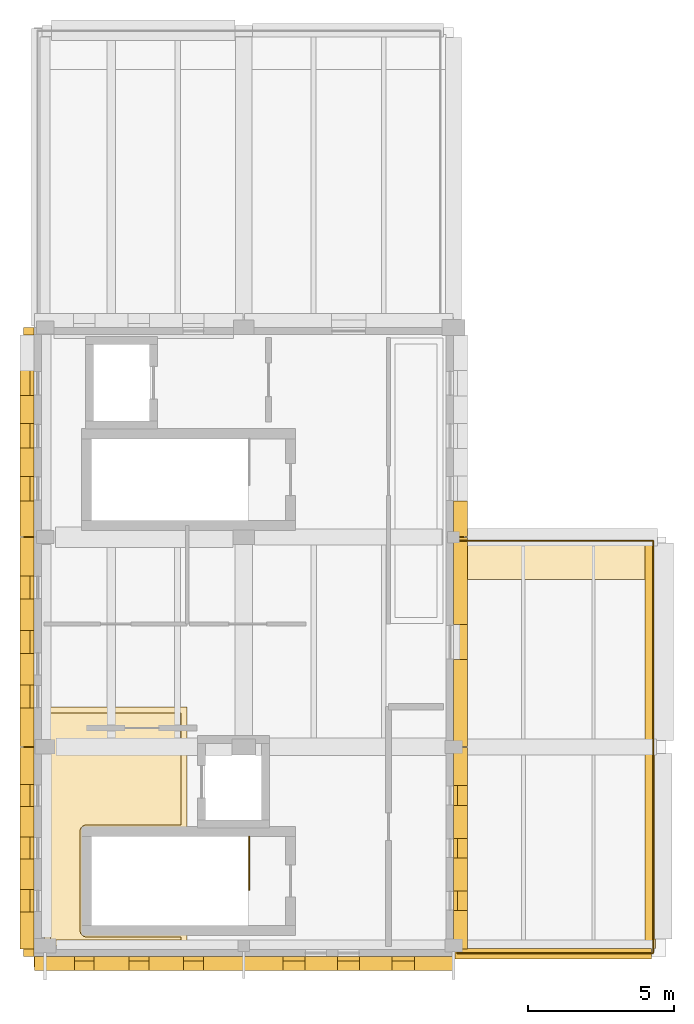
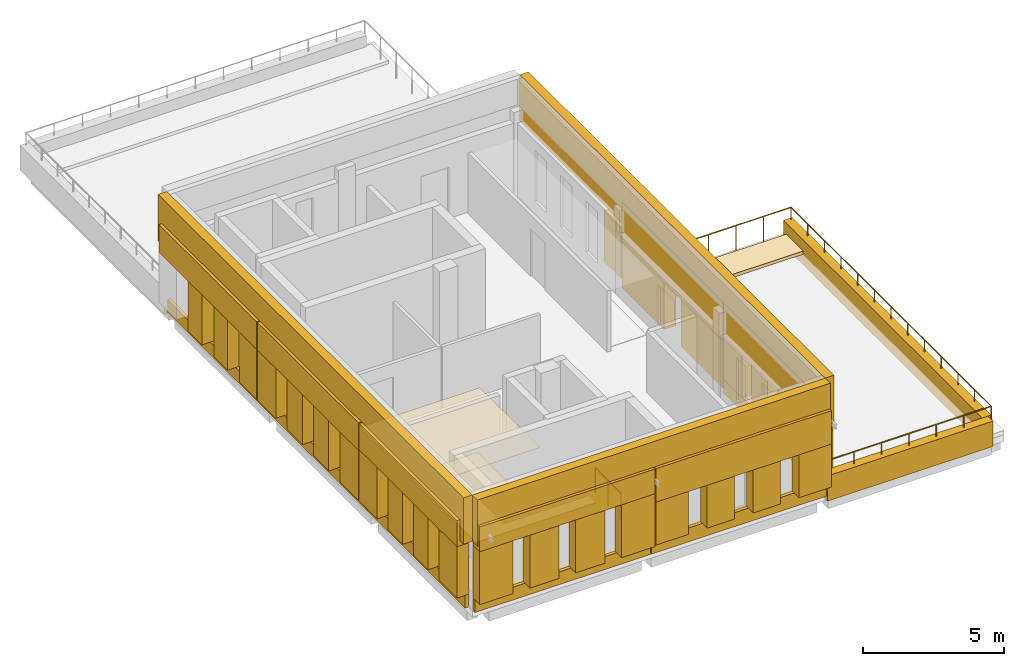
# One storey, part 5 of 6: 47 coverings, 2 railings.
"""IFC4 building model written with IfcOpenShell, lengths in metres."""

from ifc_helpers import new_model, si_unit, direction, frame, origin, origin_2d, place, context, subcontext, project, spatial, polyline, circle, outline, extrude, material, layer, layer_set, type_object, element, save


model = new_model("IFC4")

# Units and contexts
model_context = context("Model", 3, precision=1e-05, world=origin(), true_north=direction((0.0, 1.0)))
body_context = subcontext(model_context, "Body", "Model", "MODEL_VIEW")
ifc_project = project(units=[si_unit("LENGTHUNIT", "METRE"), si_unit("AREAUNIT", "SQUARE_METRE"), si_unit("VOLUMEUNIT", "CUBIC_METRE"), si_unit("PLANEANGLEUNIT", "RADIAN"), si_unit("MASSUNIT", "GRAM", prefix="KILO")], contexts=[model_context])

# Site, building, storey
site_placement = place(None, origin())
site = spatial("IfcSite", under=ifc_project, at=site_placement, CompositionType="ELEMENT")
building_placement = place(site_placement, origin())
building = spatial("IfcBuilding", under=site, at=building_placement, Name="Vardoun Plaza Health Centre", CompositionType="ELEMENT")
storey_placement = place(building_placement, frame((0.0, 0.0, 25.050048828125)))
storey = spatial("IfcBuildingStorey", under=building, at=storey_placement, Name="L06", CompositionType="ELEMENT", Elevation=25.050048828125)

# Coverings
ifc_material_1 = material(Name="Hygienic Acoustic Mineral-Fibre Ceiling", Category="concrete")
ifc_layer_1 = layer(ifc_material_1, 0.02490234375)
ifc_layer_set_1 = layer_set([ifc_layer_1], Name="Hygienic Acoustic Mineral-Fibre Ceiling")
covering_type_1 = type_object("IfcCoveringType", Name="CL-01", PredefinedType="CEILING", material=ifc_layer_set_1)
covering_1_placement = place(storey_placement, frame((0.0, 0.0, 2.579833984375)))
element("IfcCovering", 1, at=covering_1_placement, inside=storey, type_object=covering_type_1, Name="Telemedicine Consultation Suite Acoustic Ceiling", PredefinedType="CEILING", context=body_context, shape_type="SweptSolid", body=[
    extrude(outline(polyline([(4.860107421875, 13.070068359375), (9.75, 13.070068359375), (9.75, 8.81005859375), (6.300048828125, 8.81005859375), (6.299072265625, 8.81005859375), (6.298095703125, 8.809814453125), (6.297119140625, 8.8095703125), (6.296142578125, 8.80908203125), (6.29541015625, 8.808837890625), (6.29443359375, 8.808349609375), (6.293701171875, 8.8076171875), (6.29296875, 8.80712890625), (6.292236328125, 8.806396484375), (6.291748046875, 8.8056640625), (6.291259765625, 8.8046875), (6.290771484375, 8.8037109375), (6.290283203125, 8.802978515625), (6.290283203125, 8.802001953125), (6.2900390625, 8.801025390625), (6.2900390625, 8.800048828125), (6.2900390625, 5.39990234375), (6.2900390625, 5.39892578125), (6.290283203125, 5.39794921875), (6.290283203125, 5.397216796875), (6.290771484375, 5.396240234375), (6.291259765625, 5.395263671875), (6.291748046875, 5.394287109375), (6.292236328125, 5.393798828125), (6.29296875, 5.392822265625), (6.293701171875, 5.392333984375), (6.29443359375, 5.3916015625), (6.29541015625, 5.39111328125), (6.296142578125, 5.390869140625), (6.297119140625, 5.390380859375), (6.298095703125, 5.39013671875), (6.299072265625, 5.389892578125), (6.300048828125, 5.389892578125), (9.75, 5.389892578125), (9.75, 4.860107421875), (4.860107421875, 4.860107421875), (4.860107421875, 13.070068359375)])), origin(), (0.0, 0.0, 1.0), 0.025146484375),
])
ifc_material_2 = material(Name="Pale Limestone Concrete C35/45", Category="masonry")
ifc_layer_2 = layer(ifc_material_2, 0.080078125)
ifc_layer_set_2 = layer_set([ifc_layer_2], Name="Pale Limestone Concrete C35/45")
covering_type_2 = type_object("IfcCoveringType", Name="CL-EXT1", PredefinedType="CLADDING", material=ifc_layer_set_2)
covering_2_placement = place(storey_placement, frame((0.0, 0.0, 0.550048828125)))
element("IfcCovering", 2, at=covering_2_placement, inside=storey, type_object=covering_type_2, Name="V2 L06 Deep-Punched Slot Concrete Reveal Pier 660", PredefinedType="CLADDING", context=body_context, shape_type="SweptSolid", body=[
    extrude(outline(polyline([(18.89990234375, 20.137939453125), (18.89990234375, 18.919921875), (19.3798828125, 18.919921875), (19.3798828125, 20.137939453125), (18.89990234375, 20.137939453125)])), origin(), (0.0, 0.0, 1.0), 2.199951171875),
])
covering_3_placement = place(storey_placement, frame((0.0, 0.0, 2.2099609375)))
element("IfcCovering", 3, at=covering_3_placement, inside=storey, type_object=covering_type_2, Name="V2 L06 Sculpted Concrete Eyebrow Hood 661", PredefinedType="CLADDING", context=body_context, shape_type="SweptSolid", body=[
    extrude(outline(polyline([(18.89990234375, 18.8798828125), (18.89990234375, 11.719970703125), (19.3798828125, 11.719970703125), (19.3798828125, 18.8798828125), (18.89990234375, 18.8798828125)])), origin(), (0.0, 0.0, 1.0), 1.68994140625),
])
covering_4_placement = place(storey_placement, frame((0.0, 0.0, 0.18994140625)))
element("IfcCovering", 4, at=covering_4_placement, inside=storey, type_object=covering_type_2, Name="V2 L06 Deep-Punched Slot Concrete Reveal Pier 662", PredefinedType="CLADDING", context=body_context, shape_type="SweptSolid", body=[
    extrude(outline(polyline([(18.89990234375, 18.8798828125), (18.89990234375, 15.89501953125), (19.3798828125, 15.89501953125), (19.3798828125, 18.8798828125), (18.89990234375, 18.8798828125)])), origin(), (0.0, 0.0, 1.0), 2.02001953125),
])
covering_5_placement = place(storey_placement, frame((0.0, 0.0, 0.18994140625)))
element("IfcCovering", 5, at=covering_5_placement, inside=storey, type_object=covering_type_2, Name="V2 L06 Deep-Punched Slot Concrete Reveal Pier 663", PredefinedType="CLADDING", context=body_context, shape_type="SweptSolid", body=[
    extrude(outline(polyline([(18.89990234375, 14.705078125), (18.89990234375, 11.719970703125), (19.3798828125, 11.719970703125), (19.3798828125, 14.705078125), (18.89990234375, 14.705078125)])), origin(), (0.0, 0.0, 1.0), 2.02001953125),
])
covering_6_placement = place(storey_placement, origin())
element("IfcCovering", 6, at=covering_6_placement, inside=storey, type_object=covering_type_2, Name="V2 L06 Pale Concrete Sill Band 664", PredefinedType="CLADDING", context=body_context, shape_type="SweptSolid", body=[
    extrude(outline(polyline([(18.89990234375, 11.679931640625), (18.89990234375, 4.77001953125), (19.0400390625, 4.77001953125), (19.0400390625, 11.679931640625), (18.89990234375, 11.679931640625)])), origin(), (0.0, 0.0, 1.0), 0.599853515625),
])
covering_7_placement = place(storey_placement, frame((0.0, 0.0, 2.449951171875)))
element("IfcCovering", 7, at=covering_7_placement, inside=storey, type_object=covering_type_2, Name="V2 L06 Sculpted Concrete Eyebrow Hood 665", PredefinedType="CLADDING", context=body_context, shape_type="SweptSolid", body=[
    extrude(outline(polyline([(18.89990234375, 11.679931640625), (18.89990234375, 4.77001953125), (19.3798828125, 4.77001953125), (19.3798828125, 11.679931640625), (18.89990234375, 11.679931640625)])), origin(), (0.0, 0.0, 1.0), 1.449951171875),
])
covering_8_placement = place(storey_placement, frame((0.0, 0.0, 0.599853515625)))
element("IfcCovering", 8, at=covering_8_placement, inside=storey, type_object=covering_type_2, Name="V2 L06 Deep-Punched Slot Concrete Reveal Pier 666", PredefinedType="CLADDING", context=body_context, shape_type="SweptSolid", body=[
    extrude(outline(polyline([(18.89990234375, 11.679931640625), (18.89990234375, 10.3720703125), (19.3798828125, 10.3720703125), (19.3798828125, 11.679931640625), (18.89990234375, 11.679931640625)])), origin(), (0.0, 0.0, 1.0), 1.85009765625),
])
covering_9_placement = place(storey_placement, frame((0.0, 0.0, 0.599853515625)))
element("IfcCovering", 9, at=covering_9_placement, inside=storey, type_object=covering_type_2, Name="V2 L06 Deep-Punched Slot Concrete Reveal Pier 667", PredefinedType="CLADDING", context=body_context, shape_type="SweptSolid", body=[
    extrude(outline(polyline([(18.89990234375, 9.69189453125), (18.89990234375, 8.56494140625), (19.3798828125, 8.56494140625), (19.3798828125, 9.69189453125), (18.89990234375, 9.69189453125)])), origin(), (0.0, 0.0, 1.0), 1.85009765625),
])
covering_10_placement = place(storey_placement, frame((0.0, 0.0, 0.599853515625)))
element("IfcCovering", 10, at=covering_10_placement, inside=storey, type_object=covering_type_2, Name="V2 L06 Deep-Punched Slot Concrete Reveal Pier 668", PredefinedType="CLADDING", context=body_context, shape_type="SweptSolid", body=[
    extrude(outline(polyline([(18.89990234375, 7.885009765625), (18.89990234375, 6.758056640625), (19.3798828125, 6.758056640625), (19.3798828125, 7.885009765625), (18.89990234375, 7.885009765625)])), origin(), (0.0, 0.0, 1.0), 1.85009765625),
])
covering_11_placement = place(storey_placement, frame((0.0, 0.0, 0.599853515625)))
element("IfcCovering", 11, at=covering_11_placement, inside=storey, type_object=covering_type_2, Name="V2 L06 Deep-Punched Slot Concrete Reveal Pier 669", PredefinedType="CLADDING", context=body_context, shape_type="SweptSolid", body=[
    extrude(outline(polyline([(18.89990234375, 6.077880859375), (18.89990234375, 4.77001953125), (19.3798828125, 4.77001953125), (19.3798828125, 6.077880859375), (18.89990234375, 6.077880859375)])), origin(), (0.0, 0.0, 1.0), 1.85009765625),
])
covering_12_placement = place(storey_placement, origin())
element("IfcCovering", 12, at=covering_12_placement, inside=storey, type_object=covering_type_2, Name="V2 L06 Pale Concrete Sill Band 670", PredefinedType="CLADDING", context=body_context, shape_type="SweptSolid", body=[
    extrude(outline(polyline([(18.8798828125, 4.5), (11.719970703125, 4.5), (11.719970703125, 4.360107421875), (18.8798828125, 4.360107421875), (18.8798828125, 4.5)])), origin(), (0.0, 0.0, 1.0), 0.599853515625),
])
covering_13_placement = place(storey_placement, frame((0.0, 0.0, 2.449951171875)))
element("IfcCovering", 13, at=covering_13_placement, inside=storey, type_object=covering_type_2, Name="V2 L06 Sculpted Concrete Eyebrow Hood 671", PredefinedType="CLADDING", context=body_context, shape_type="SweptSolid", body=[
    extrude(outline(polyline([(18.8798828125, 4.5), (11.719970703125, 4.5), (11.719970703125, 4.02001953125), (18.8798828125, 4.02001953125), (18.8798828125, 4.5)])), origin(), (0.0, 0.0, 1.0), 1.449951171875),
])
covering_14_placement = place(storey_placement, frame((0.0, 0.0, 0.599853515625)))
element("IfcCovering", 14, at=covering_14_placement, inside=storey, type_object=covering_type_2, Name="V2 L06 Deep-Punched Slot Concrete Reveal Pier 672", PredefinedType="CLADDING", context=body_context, shape_type="SweptSolid", body=[
    extrude(outline(polyline([(18.8798828125, 4.5), (17.552001953125, 4.5), (17.552001953125, 4.02001953125), (18.8798828125, 4.02001953125), (18.8798828125, 4.5)])), origin(), (0.0, 0.0, 1.0), 1.85009765625),
])
covering_15_placement = place(storey_placement, frame((0.0, 0.0, 0.599853515625)))
element("IfcCovering", 15, at=covering_15_placement, inside=storey, type_object=covering_type_2, Name="V2 L06 Deep-Punched Slot Concrete Reveal Pier 673", PredefinedType="CLADDING", context=body_context, shape_type="SweptSolid", body=[
    extrude(outline(polyline([(16.7919921875, 4.5), (15.679931640625, 4.5), (15.679931640625, 4.02001953125), (16.7919921875, 4.02001953125), (16.7919921875, 4.5)])), origin(), (0.0, 0.0, 1.0), 1.85009765625),
])
covering_16_placement = place(storey_placement, frame((0.0, 0.0, 0.599853515625)))
element("IfcCovering", 16, at=covering_16_placement, inside=storey, type_object=covering_type_2, Name="V2 L06 Deep-Punched Slot Concrete Reveal Pier 674", PredefinedType="CLADDING", context=body_context, shape_type="SweptSolid", body=[
    extrude(outline(polyline([(14.919921875, 4.5), (13.80810546875, 4.5), (13.80810546875, 4.02001953125), (14.919921875, 4.02001953125), (14.919921875, 4.5)])), origin(), (0.0, 0.0, 1.0), 1.85009765625),
])
covering_17_placement = place(storey_placement, frame((0.0, 0.0, 0.599853515625)))
element("IfcCovering", 17, at=covering_17_placement, inside=storey, type_object=covering_type_2, Name="V2 L06 Deep-Punched Slot Concrete Reveal Pier 675", PredefinedType="CLADDING", context=body_context, shape_type="SweptSolid", body=[
    extrude(outline(polyline([(13.048095703125, 4.5), (11.719970703125, 4.5), (11.719970703125, 4.02001953125), (13.048095703125, 4.02001953125), (13.048095703125, 4.5)])), origin(), (0.0, 0.0, 1.0), 1.85009765625),
])
covering_18_placement = place(storey_placement, origin())
element("IfcCovering", 18, at=covering_18_placement, inside=storey, type_object=covering_type_2, Name="V2 L06 Pale Concrete Sill Band 676", PredefinedType="CLADDING", context=body_context, shape_type="SweptSolid", body=[
    extrude(outline(polyline([(11.679931640625, 4.5), (4.52001953125, 4.5), (4.52001953125, 4.360107421875), (11.679931640625, 4.360107421875), (11.679931640625, 4.5)])), origin(), (0.0, 0.0, 1.0), 0.550048828125),
])
covering_19_placement = place(storey_placement, frame((0.0, 0.0, 2.829833984375)))
element("IfcCovering", 19, at=covering_19_placement, inside=storey, type_object=covering_type_2, Name="V2 L06 Sculpted Concrete Eyebrow Hood 677", PredefinedType="CLADDING", context=body_context, shape_type="SweptSolid", body=[
    extrude(outline(polyline([(11.679931640625, 4.5), (4.52001953125, 4.5), (4.52001953125, 4.02001953125), (11.679931640625, 4.02001953125), (11.679931640625, 4.5)])), origin(), (0.0, 0.0, 1.0), 1.070068359375),
])
covering_20_placement = place(storey_placement, frame((0.0, 0.0, 0.550048828125)))
element("IfcCovering", 20, at=covering_20_placement, inside=storey, type_object=covering_type_2, Name="V2 L06 Deep-Punched Slot Concrete Reveal Pier 678", PredefinedType="CLADDING", context=body_context, shape_type="SweptSolid", body=[
    extrude(outline(polyline([(11.679931640625, 4.5), (10.31201171875, 4.5), (10.31201171875, 4.02001953125), (11.679931640625, 4.02001953125), (11.679931640625, 4.5)])), origin(), (0.0, 0.0, 1.0), 2.27978515625),
])
covering_21_placement = place(storey_placement, frame((0.0, 0.0, 0.550048828125)))
element("IfcCovering", 21, at=covering_21_placement, inside=storey, type_object=covering_type_2, Name="V2 L06 Deep-Punched Slot Concrete Reveal Pier 679", PredefinedType="CLADDING", context=body_context, shape_type="SweptSolid", body=[
    extrude(outline(polyline([(9.632080078125, 4.5), (8.43994140625, 4.5), (8.43994140625, 4.02001953125), (9.632080078125, 4.02001953125), (9.632080078125, 4.5)])), origin(), (0.0, 0.0, 1.0), 2.27978515625),
])
covering_22_placement = place(storey_placement, frame((0.0, 0.0, 0.550048828125)))
element("IfcCovering", 22, at=covering_22_placement, inside=storey, type_object=covering_type_2, Name="V2 L06 Deep-Punched Slot Concrete Reveal Pier 680", PredefinedType="CLADDING", context=body_context, shape_type="SweptSolid", body=[
    extrude(outline(polyline([(7.760009765625, 4.5), (6.568115234375, 4.5), (6.568115234375, 4.02001953125), (7.760009765625, 4.02001953125), (7.760009765625, 4.5)])), origin(), (0.0, 0.0, 1.0), 2.27978515625),
])
covering_23_placement = place(storey_placement, frame((0.0, 0.0, 0.550048828125)))
element("IfcCovering", 23, at=covering_23_placement, inside=storey, type_object=covering_type_2, Name="V2 L06 Deep-Punched Slot Concrete Reveal Pier 681", PredefinedType="CLADDING", context=body_context, shape_type="SweptSolid", body=[
    extrude(outline(polyline([(5.887939453125, 4.5), (4.52001953125, 4.5), (4.52001953125, 4.02001953125), (5.887939453125, 4.02001953125), (5.887939453125, 4.5)])), origin(), (0.0, 0.0, 1.0), 2.27978515625),
])
covering_24_placement = place(storey_placement, origin())
element("IfcCovering", 24, at=covering_24_placement, inside=storey, type_object=covering_type_2, Name="V2 L06 Pale Concrete Sill Band 682", PredefinedType="CLADDING", context=body_context, shape_type="SweptSolid", body=[
    extrude(outline(polyline([(4.5, 4.77001953125), (4.5, 11.679931640625), (4.360107421875, 11.679931640625), (4.360107421875, 4.77001953125), (4.5, 4.77001953125)])), origin(), (0.0, 0.0, 1.0), 0.550048828125),
])
covering_25_placement = place(storey_placement, frame((0.0, 0.0, 2.77001953125)))
element("IfcCovering", 25, at=covering_25_placement, inside=storey, type_object=covering_type_2, Name="V2 L06 Sculpted Concrete Eyebrow Hood 683", PredefinedType="CLADDING", context=body_context, shape_type="SweptSolid", body=[
    extrude(outline(polyline([(4.5, 4.77001953125), (4.5, 11.679931640625), (4.02001953125, 11.679931640625), (4.02001953125, 4.77001953125), (4.5, 4.77001953125)])), origin(), (0.0, 0.0, 1.0), 1.1298828125),
])
covering_26_placement = place(storey_placement, frame((0.0, 0.0, 0.550048828125)))
element("IfcCovering", 26, at=covering_26_placement, inside=storey, type_object=covering_type_2, Name="V2 L06 Deep-Punched Slot Concrete Reveal Pier 684", PredefinedType="CLADDING", context=body_context, shape_type="SweptSolid", body=[
    extrude(outline(polyline([(4.5, 4.77001953125), (4.5, 6.0380859375), (4.02001953125, 6.0380859375), (4.02001953125, 4.77001953125), (4.5, 4.77001953125)])), origin(), (0.0, 0.0, 1.0), 2.219970703125),
])
covering_27_placement = place(storey_placement, frame((0.0, 0.0, 0.550048828125)))
element("IfcCovering", 27, at=covering_27_placement, inside=storey, type_object=covering_type_2, Name="V2 L06 Deep-Punched Slot Concrete Reveal Pier 685", PredefinedType="CLADDING", context=body_context, shape_type="SweptSolid", body=[
    extrude(outline(polyline([(4.5, 6.798095703125), (4.5, 7.844970703125), (4.02001953125, 7.844970703125), (4.02001953125, 6.798095703125), (4.5, 6.798095703125)])), origin(), (0.0, 0.0, 1.0), 2.219970703125),
])
covering_28_placement = place(storey_placement, frame((0.0, 0.0, 0.550048828125)))
element("IfcCovering", 28, at=covering_28_placement, inside=storey, type_object=covering_type_2, Name="V2 L06 Deep-Punched Slot Concrete Reveal Pier 686", PredefinedType="CLADDING", context=body_context, shape_type="SweptSolid", body=[
    extrude(outline(polyline([(4.5, 8.60498046875), (4.5, 9.652099609375), (4.02001953125, 9.652099609375), (4.02001953125, 8.60498046875), (4.5, 8.60498046875)])), origin(), (0.0, 0.0, 1.0), 2.219970703125),
])
covering_29_placement = place(storey_placement, frame((0.0, 0.0, 0.550048828125)))
element("IfcCovering", 29, at=covering_29_placement, inside=storey, type_object=covering_type_2, Name="V2 L06 Deep-Punched Slot Concrete Reveal Pier 687", PredefinedType="CLADDING", context=body_context, shape_type="SweptSolid", body=[
    extrude(outline(polyline([(4.5, 10.412109375), (4.5, 11.679931640625), (4.02001953125, 11.679931640625), (4.02001953125, 10.412109375), (4.5, 10.412109375)])), origin(), (0.0, 0.0, 1.0), 2.219970703125),
])
covering_30_placement = place(storey_placement, origin())
element("IfcCovering", 30, at=covering_30_placement, inside=storey, type_object=covering_type_2, Name="V2 L06 Pale Concrete Sill Band 688", PredefinedType="CLADDING", context=body_context, shape_type="SweptSolid", body=[
    extrude(outline(polyline([(4.5, 11.719970703125), (4.5, 18.8798828125), (4.360107421875, 18.8798828125), (4.360107421875, 11.719970703125), (4.5, 11.719970703125)])), origin(), (0.0, 0.0, 1.0), 0.550048828125),
])
covering_31_placement = place(storey_placement, frame((0.0, 0.0, 2.7099609375)))
element("IfcCovering", 31, at=covering_31_placement, inside=storey, type_object=covering_type_2, Name="V2 L06 Sculpted Concrete Eyebrow Hood 689", PredefinedType="CLADDING", context=body_context, shape_type="SweptSolid", body=[
    extrude(outline(polyline([(4.5, 11.719970703125), (4.5, 18.8798828125), (4.02001953125, 18.8798828125), (4.02001953125, 11.719970703125), (4.5, 11.719970703125)])), origin(), (0.0, 0.0, 1.0), 1.18994140625),
])
covering_32_placement = place(storey_placement, frame((0.0, 0.0, 0.550048828125)))
element("IfcCovering", 32, at=covering_32_placement, inside=storey, type_object=covering_type_2, Name="V2 L06 Deep-Punched Slot Concrete Reveal Pier 690", PredefinedType="CLADDING", context=body_context, shape_type="SweptSolid", body=[
    extrude(outline(polyline([(4.5, 11.719970703125), (4.5, 13.028076171875), (4.02001953125, 13.028076171875), (4.02001953125, 11.719970703125), (4.5, 11.719970703125)])), origin(), (0.0, 0.0, 1.0), 2.159912109375),
])
covering_33_placement = place(storey_placement, frame((0.0, 0.0, 0.550048828125)))
element("IfcCovering", 33, at=covering_33_placement, inside=storey, type_object=covering_type_2, Name="V2 L06 Deep-Punched Slot Concrete Reveal Pier 691", PredefinedType="CLADDING", context=body_context, shape_type="SweptSolid", body=[
    extrude(outline(polyline([(4.5, 13.827880859375), (4.5, 14.89990234375), (4.02001953125, 14.89990234375), (4.02001953125, 13.827880859375), (4.5, 13.827880859375)])), origin(), (0.0, 0.0, 1.0), 2.159912109375),
])
covering_34_placement = place(storey_placement, frame((0.0, 0.0, 0.550048828125)))
element("IfcCovering", 34, at=covering_34_placement, inside=storey, type_object=covering_type_2, Name="V2 L06 Deep-Punched Slot Concrete Reveal Pier 692", PredefinedType="CLADDING", context=body_context, shape_type="SweptSolid", body=[
    extrude(outline(polyline([(4.5, 15.699951171875), (4.5, 16.77197265625), (4.02001953125, 16.77197265625), (4.02001953125, 15.699951171875), (4.5, 15.699951171875)])), origin(), (0.0, 0.0, 1.0), 2.159912109375),
])
covering_35_placement = place(storey_placement, frame((0.0, 0.0, 0.550048828125)))
element("IfcCovering", 35, at=covering_35_placement, inside=storey, type_object=covering_type_2, Name="V2 L06 Deep-Punched Slot Concrete Reveal Pier 693", PredefinedType="CLADDING", context=body_context, shape_type="SweptSolid", body=[
    extrude(outline(polyline([(4.5, 17.572021484375), (4.5, 18.8798828125), (4.02001953125, 18.8798828125), (4.02001953125, 17.572021484375), (4.5, 17.572021484375)])), origin(), (0.0, 0.0, 1.0), 2.159912109375),
])
covering_36_placement = place(storey_placement, origin())
element("IfcCovering", 36, at=covering_36_placement, inside=storey, type_object=covering_type_2, Name="V2 L06 Pale Concrete Sill Band 694", PredefinedType="CLADDING", context=body_context, shape_type="SweptSolid", body=[
    extrude(outline(polyline([(4.5, 18.919921875), (4.5, 25.830078125), (4.360107421875, 25.830078125), (4.360107421875, 18.919921875), (4.5, 18.919921875)])), origin(), (0.0, 0.0, 1.0), 0.550048828125),
])
covering_37_placement = place(storey_placement, frame((0.0, 0.0, 2.7099609375)))
element("IfcCovering", 37, at=covering_37_placement, inside=storey, type_object=covering_type_2, Name="V2 L06 Sculpted Concrete Eyebrow Hood 695", PredefinedType="CLADDING", context=body_context, shape_type="SweptSolid", body=[
    extrude(outline(polyline([(4.5, 18.919921875), (4.5, 25.830078125), (4.02001953125, 25.830078125), (4.02001953125, 18.919921875), (4.5, 18.919921875)])), origin(), (0.0, 0.0, 1.0), 1.18994140625),
])
covering_38_placement = place(storey_placement, frame((0.0, 0.0, 0.550048828125)))
element("IfcCovering", 38, at=covering_38_placement, inside=storey, type_object=covering_type_2, Name="V2 L06 Deep-Punched Slot Concrete Reveal Pier 696", PredefinedType="CLADDING", context=body_context, shape_type="SweptSolid", body=[
    extrude(outline(polyline([(4.5, 18.919921875), (4.5, 20.14794921875), (4.02001953125, 20.14794921875), (4.02001953125, 18.919921875), (4.5, 18.919921875)])), origin(), (0.0, 0.0, 1.0), 2.159912109375),
])
covering_39_placement = place(storey_placement, frame((0.0, 0.0, 0.550048828125)))
element("IfcCovering", 39, at=covering_39_placement, inside=storey, type_object=covering_type_2, Name="V2 L06 Deep-Punched Slot Concrete Reveal Pier 697", PredefinedType="CLADDING", context=body_context, shape_type="SweptSolid", body=[
    extrude(outline(polyline([(4.5, 20.988037109375), (4.5, 21.955078125), (4.02001953125, 21.955078125), (4.02001953125, 20.988037109375), (4.5, 20.988037109375)])), origin(), (0.0, 0.0, 1.0), 2.159912109375),
])
covering_40_placement = place(storey_placement, frame((0.0, 0.0, 0.550048828125)))
element("IfcCovering", 40, at=covering_40_placement, inside=storey, type_object=covering_type_2, Name="V2 L06 Deep-Punched Slot Concrete Reveal Pier 698", PredefinedType="CLADDING", context=body_context, shape_type="SweptSolid", body=[
    extrude(outline(polyline([(4.5, 22.794921875), (4.5, 23.761962890625), (4.02001953125, 23.761962890625), (4.02001953125, 22.794921875), (4.5, 22.794921875)])), origin(), (0.0, 0.0, 1.0), 2.159912109375),
])
covering_41_placement = place(storey_placement, frame((0.0, 0.0, -0.280029296875)))
element("IfcCovering", 41, at=covering_41_placement, inside=storey, type_object=covering_type_2, Name="V2 L06 Sculpted White Terrace Planter Ribbon S2", PredefinedType="CLADDING", context=body_context, shape_type="SweptSolid", body=[
    extrude(outline(polyline([(18.949951171875, 4.419921875), (25.699951171875, 4.419921875), (25.699951171875, 4.780029296875), (18.949951171875, 4.780029296875), (18.949951171875, 4.419921875)])), origin(), (0.0, 0.0, 1.0), 1.090087890625),
])
covering_42_placement = place(storey_placement, frame((0.0, 0.0, -0.280029296875)))
element("IfcCovering", 42, at=covering_42_placement, inside=storey, type_object=covering_type_2, Name="V2 L06 Sculpted White Terrace Planter Ribbon E2", PredefinedType="CLADDING", context=body_context, shape_type="SweptSolid", body=[
    extrude(outline(polyline([(25.47998046875, 4.780029296875), (25.840087890625, 4.780029296875), (25.840087890625, 18.85009765625), (25.47998046875, 18.85009765625), (25.47998046875, 4.780029296875)])), origin(), (0.0, 0.0, 1.0), 1.090087890625),
])
covering_43_placement = place(storey_placement, frame((0.0, 0.0, 3.0)))
element("IfcCovering", 43, at=covering_43_placement, inside=storey, type_object=covering_type_2, Name="V2 Sculpted White Crown Cornice 2", PredefinedType="CLADDING", context=body_context, shape_type="SweptSolid", body=[
    extrude(outline(polyline([(18.89990234375, 26.10009765625), (18.89990234375, 4.5), (19.260009765625, 4.5), (19.260009765625, 26.10009765625), (18.89990234375, 26.10009765625)])), origin(), (0.0, 0.0, 1.0), 2.0),
])
covering_44_placement = place(storey_placement, frame((0.0, 0.0, 3.0)))
element("IfcCovering", 44, at=covering_44_placement, inside=storey, type_object=covering_type_2, Name="V2 Sculpted White Crown Cornice 3", PredefinedType="CLADDING", context=body_context, shape_type="SweptSolid", body=[
    extrude(outline(polyline([(18.89990234375, 4.5), (4.5, 4.5), (4.5, 4.139892578125), (18.89990234375, 4.139892578125), (18.89990234375, 4.5)])), origin(), (0.0, 0.0, 1.0), 2.0),
])
covering_45_placement = place(storey_placement, frame((0.0, 0.0, 3.0)))
element("IfcCovering", 45, at=covering_45_placement, inside=storey, type_object=covering_type_2, Name="V2 Sculpted White Crown Cornice 4", PredefinedType="CLADDING", context=body_context, shape_type="SweptSolid", body=[
    extrude(outline(polyline([(4.5, 4.5), (4.5, 26.10009765625), (4.139892578125, 26.10009765625), (4.139892578125, 4.5), (4.5, 4.5)])), origin(), (0.0, 0.0, 1.0), 2.0),
])
ifc_material_3 = material(Name="Seamless Conductive Clinical Vinyl Flooring", Category="concrete")
ifc_layer_3 = layer(ifc_material_3, 0.014892578125)
ifc_layer_set_3 = layer_set([ifc_layer_3], Name="Seamless Conductive Clinical Vinyl Flooring")
covering_type_3 = type_object("IfcCoveringType", Name="FL-01", PredefinedType="FLOORING", material=ifc_layer_set_3)
covering_46_placement = place(storey_placement, origin())
element("IfcCovering", 46, at=covering_46_placement, inside=storey, type_object=covering_type_3, Name="Telemedicine Consultation Suite Floor Finish", PredefinedType="FLOORING", context=body_context, shape_type="SweptSolid", body=[
    extrude(outline(polyline([(5.070068359375, 12.860107421875), (9.5400390625, 12.860107421875), (9.5400390625, 9.02001953125), (6.300048828125, 9.02001953125), (6.2783203125, 9.018798828125), (6.257080078125, 9.015869140625), (6.236083984375, 9.010498046875), (6.2158203125, 9.00341796875), (6.1962890625, 8.993896484375), (6.177734375, 8.98291015625), (6.160400390625, 8.97021484375), (6.144287109375, 8.95556640625), (6.1298828125, 8.939697265625), (6.1171875, 8.922119140625), (6.10595703125, 8.90380859375), (6.0966796875, 8.88427734375), (6.089599609375, 8.864013671875), (6.084228515625, 8.843017578125), (6.0810546875, 8.821533203125), (6.080078125, 8.800048828125), (6.080078125, 5.39990234375), (6.0810546875, 5.37841796875), (6.084228515625, 5.357177734375), (6.089599609375, 5.336181640625), (6.0966796875, 5.31591796875), (6.10595703125, 5.29638671875), (6.1171875, 5.27783203125), (6.1298828125, 5.260498046875), (6.144287109375, 5.244384765625), (6.160400390625, 5.22998046875), (6.177734375, 5.217041015625), (6.1962890625, 5.2060546875), (6.2158203125, 5.19677734375), (6.236083984375, 5.189453125), (6.257080078125, 5.18408203125), (6.2783203125, 5.18115234375), (6.300048828125, 5.179931640625), (9.5400390625, 5.179931640625), (9.5400390625, 5.070068359375), (5.070068359375, 5.070068359375), (5.070068359375, 12.860107421875)])), origin(), (0.0, 0.0, 1.0), 0.014892578125),
])
ifc_material_4 = material(Name="Planted Mediterranean Garden Substrate", Category="wood")
ifc_layer_4 = layer(ifc_material_4, 0.139892578125)
ifc_layer_set_4 = layer_set([ifc_layer_4], Name="Planted Mediterranean Garden Substrate")
covering_type_4 = type_object("IfcCoveringType", Name="CV-G1", PredefinedType="ROOFING", material=ifc_layer_set_4)
covering_47_placement = place(storey_placement, frame((0.0, 0.0, 0.18994140625)))
element("IfcCovering", 47, at=covering_47_placement, inside=storey, type_object=covering_type_4, Name="V2 L06 Garden Planter Bed 2", PredefinedType="ROOFING", context=body_context, shape_type="SweptSolid", body=[
    extrude(outline(polyline([(19.14990234375, 17.449951171875), (25.949951171875, 17.449951171875), (25.949951171875, 18.64990234375), (19.14990234375, 18.64990234375), (19.14990234375, 17.449951171875)])), origin(), (0.0, 0.0, 1.0), 0.139892578125),
])

# Railings
ifc_material_5 = material(Name="Painted Steel S275JR Stair-Well Guardrail", Category="steel")
railing_type_1 = type_object("IfcRailingType", Name="GR-04", PredefinedType="GUARDRAIL", material=ifc_material_5)
railing_1_placement = place(storey_placement, frame((11.889892578125, 6.804931640625, 0.0)))
element("IfcRailing", 48, at=railing_1_placement, inside=storey, type_object=railing_type_1, Name="Stair ST-C1-L05 Upper Landing Well Guard", PredefinedType="GUARDRAIL", context=body_context, shape_type="SweptSolid", body=[
    extrude(circle(Radius=0.02392578125, at=origin_2d()), frame((0.0, 0.0, 1.09619140625), z_axis=(0.0, 1.0, 0.0), x_axis=(-1.0, 0.0, 0.0)), (0.0, 0.0, 1.0), 1.815185546875),
    extrude(circle(Radius=0.02099609375, at=origin_2d()), origin(), (0.0, 0.0, 1.0), 1.072021484375),
    extrude(circle(Radius=0.02099609375, at=origin_2d()), frame((0.0, 0.90771484375, 0.0)), (0.0, 0.0, 1.0), 1.072021484375),
    extrude(circle(Radius=0.02099609375, at=origin_2d()), frame((0.0, 1.815185546875, 0.0)), (0.0, 0.0, 1.0), 1.072021484375),
])
ifc_material_6 = material(Name="Galvanised Steel S275JR and Laminated Glass", Category="steel")
railing_type_2 = type_object("IfcRailingType", Name="GR-01", PredefinedType="BALUSTRADE", material=ifc_material_6)
railing_2_placement = place(storey_placement, frame((19.02001953125, 4.6201171875, 0.18994140625)))
element("IfcRailing", 49, at=railing_2_placement, inside=storey, type_object=railing_type_2, Name="V2 L06 Terrace Balustrade 2", PredefinedType="BALUSTRADE", context=body_context, shape_type="SweptSolid", body=[
    extrude(circle(Radius=0.02392578125, at=origin_2d()), frame((0.0, 0.0, 1.1259765625), z_axis=(1.0, 0.0, 0.0), x_axis=(0.0, 1.0, 0.0)), (0.0, 0.0, 1.0), 6.72998046875),
    extrude(circle(Radius=0.02392578125, at=origin_2d()), frame((6.72998046875, 0.0, 1.1259765625), z_axis=(0.0, 1.0, 0.0), x_axis=(-1.0, 0.0, 0.0)), (0.0, 0.0, 1.0), 14.159912109375),
    extrude(circle(Radius=0.02392578125, at=origin_2d()), frame((6.72998046875, 14.159912109375, 1.1259765625), z_axis=(-1.0, 0.0, 0.0), x_axis=(0.0, -1.0, 0.0)), (0.0, 0.0, 1.0), 6.72998046875),
    extrude(circle(Radius=0.02099609375, at=origin_2d()), origin(), (0.0, 0.0, 1.0), 1.101806640625),
    extrude(circle(Radius=0.02099609375, at=origin_2d()), frame((1.12158203125, 0.0, 0.0)), (0.0, 0.0, 1.0), 1.101806640625),
    extrude(circle(Radius=0.02099609375, at=origin_2d()), frame((2.243408203125, 0.0, 0.0)), (0.0, 0.0, 1.0), 1.101806640625),
    extrude(circle(Radius=0.02099609375, at=origin_2d()), frame((3.364990234375, 0.0, 0.0)), (0.0, 0.0, 1.0), 1.101806640625),
    extrude(circle(Radius=0.02099609375, at=origin_2d()), frame((4.486572265625, 0.0, 0.0)), (0.0, 0.0, 1.0), 1.101806640625),
    extrude(circle(Radius=0.02099609375, at=origin_2d()), frame((5.6083984375, 0.0, 0.0)), (0.0, 0.0, 1.0), 1.101806640625),
    extrude(circle(Radius=0.02099609375, at=origin_2d()), frame((6.72998046875, 0.0, 0.0)), (0.0, 0.0, 1.0), 1.101806640625),
    extrude(circle(Radius=0.02099609375, at=origin_2d()), frame((6.72998046875, 1.179931640625, 0.0)), (0.0, 0.0, 1.0), 1.101806640625),
    extrude(circle(Radius=0.02099609375, at=origin_2d()), frame((6.72998046875, 2.35986328125, 0.0)), (0.0, 0.0, 1.0), 1.101806640625),
    extrude(circle(Radius=0.02099609375, at=origin_2d()), frame((6.72998046875, 3.5400390625, 0.0)), (0.0, 0.0, 1.0), 1.101806640625),
    extrude(circle(Radius=0.02099609375, at=origin_2d()), frame((6.72998046875, 4.719970703125, 0.0)), (0.0, 0.0, 1.0), 1.101806640625),
    extrude(circle(Radius=0.02099609375, at=origin_2d()), frame((6.72998046875, 5.89990234375, 0.0)), (0.0, 0.0, 1.0), 1.101806640625),
    extrude(circle(Radius=0.02099609375, at=origin_2d()), frame((6.72998046875, 7.080078125, 0.0)), (0.0, 0.0, 1.0), 1.101806640625),
    extrude(circle(Radius=0.02099609375, at=origin_2d()), frame((6.72998046875, 8.260009765625, 0.0)), (0.0, 0.0, 1.0), 1.101806640625),
    extrude(circle(Radius=0.02099609375, at=origin_2d()), frame((6.72998046875, 9.43994140625, 0.0)), (0.0, 0.0, 1.0), 1.101806640625),
    extrude(circle(Radius=0.02099609375, at=origin_2d()), frame((6.72998046875, 10.619873046875, 0.0)), (0.0, 0.0, 1.0), 1.101806640625),
    extrude(circle(Radius=0.02099609375, at=origin_2d()), frame((6.72998046875, 11.7998046875, 0.0)), (0.0, 0.0, 1.0), 1.101806640625),
    extrude(circle(Radius=0.02099609375, at=origin_2d()), frame((6.72998046875, 12.97998046875, 0.0)), (0.0, 0.0, 1.0), 1.101806640625),
    extrude(circle(Radius=0.02099609375, at=origin_2d()), frame((6.72998046875, 14.159912109375, 0.0)), (0.0, 0.0, 1.0), 1.101806640625),
    extrude(circle(Radius=0.02099609375, at=origin_2d()), frame((5.6083984375, 14.159912109375, 0.0)), (0.0, 0.0, 1.0), 1.101806640625),
    extrude(circle(Radius=0.02099609375, at=origin_2d()), frame((4.486572265625, 14.159912109375, 0.0)), (0.0, 0.0, 1.0), 1.101806640625),
    extrude(circle(Radius=0.02099609375, at=origin_2d()), frame((3.364990234375, 14.159912109375, 0.0)), (0.0, 0.0, 1.0), 1.101806640625),
    extrude(circle(Radius=0.02099609375, at=origin_2d()), frame((2.243408203125, 14.159912109375, 0.0)), (0.0, 0.0, 1.0), 1.101806640625),
    extrude(circle(Radius=0.02099609375, at=origin_2d()), frame((1.12158203125, 14.159912109375, 0.0)), (0.0, 0.0, 1.0), 1.101806640625),
    extrude(circle(Radius=0.02099609375, at=origin_2d()), frame((0.0, 14.159912109375, 0.0)), (0.0, 0.0, 1.0), 1.101806640625),
])

save(model, "model.ifc")
